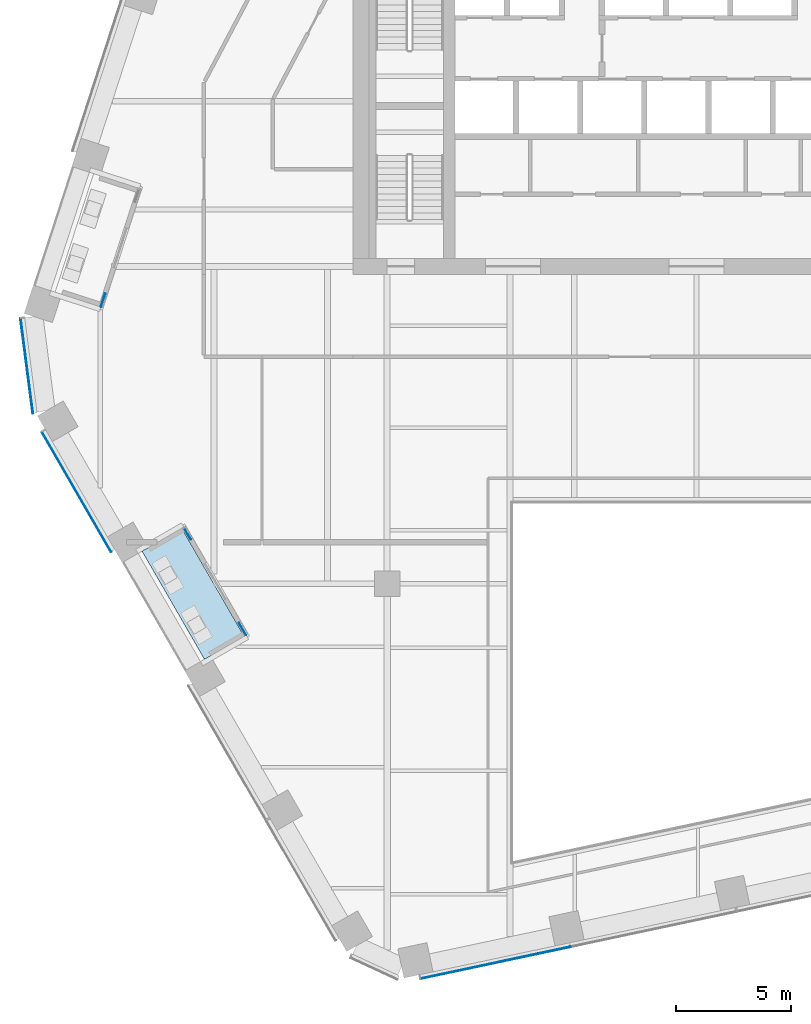
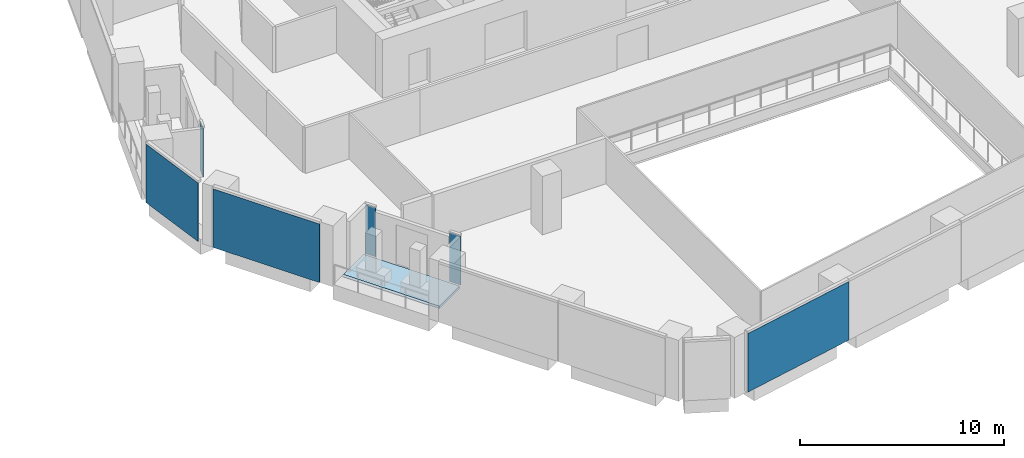
# One storey, part 12 of 25: 6 plates, 1 slab, 5 elements without a shape of their own.
"""IFC4 building model written with IfcOpenShell, lengths in metres."""

import ifcopenshell
import ifcopenshell.guid

model = None  # the IFC model being written
_history = None  # IfcOwnerHistory: only IFC2X3 demands one
_inside = {}  # id of a spatial element -> (the spatial element, [elements in it])
_under = {}  # id of a project, library or spatial element -> (it, [spatial elements below it])
_declared = {}  # id of a project -> (the project, [libraries it declares])
_typed = {}  # id of a type object -> (the type object, [elements of that type])
_made_of = {}  # id of a material, layer set ... -> (it, [elements and type objects made of it])


def new_model(schema):
    """Start an empty IFC model of exactly this schema.

    Asked for "IFC4X3", IfcOpenShell would pick the latest addendum, in which some entities
    have other attributes; the version numbers below select the first issue.
    IFC2X3 requires an IfcOwnerHistory on every rooted entity: one is made here for all.
    """
    global model, _history
    if schema == "IFC4X3":
        model = ifcopenshell.file(schema_version=(4, 3, 0, 0))
    else:
        model = ifcopenshell.file(schema=schema)
    _inside.clear()
    _under.clear()
    _declared.clear()
    _typed.clear()
    _made_of.clear()
    _history = None
    if model.schema == "IFC2X3":
        org = make("IfcOrganization", Name="unknown")
        user = make(
            "IfcPersonAndOrganization",
            ThePerson=make("IfcPerson", FamilyName="unknown"),
            TheOrganization=org,
        )
        app = make(
            "IfcApplication",
            ApplicationDeveloper=org,
            Version="unknown",
            ApplicationFullName="unknown",
            ApplicationIdentifier="unknown",
        )
        _history = make(
            "IfcOwnerHistory",
            OwningUser=user,
            OwningApplication=app,
            ChangeAction="ADDED",
            CreationDate=0,
        )
    return model


def make(cls, **values):
    """One entity of the class cls with the attributes given. An attribute that is None is left unset."""
    return model.create_entity(
        cls, **{name: value for name, value in values.items() if value is not None}
    )


def rooted(cls, **values):
    """An entity with a GlobalId (a new one), such as an element, a storey or a relation."""
    return make(cls, GlobalId=ifcopenshell.guid.new(), OwnerHistory=_history, **values)


def si_unit(unit_type, name, prefix=None):
    """IfcSIUnit, for example si_unit("LENGTHUNIT", "METRE", prefix="MILLI")."""
    return make("IfcSIUnit", UnitType=unit_type, Prefix=prefix, Name=name)


def assignment(units):
    """IfcUnitAssignment: the units of a project."""
    return None if units is None else make("IfcUnitAssignment", Units=units)


def point(xyz):
    """IfcCartesianPoint."""
    return None if xyz is None else make("IfcCartesianPoint", Coordinates=xyz)


def direction(xyz):
    """IfcDirection."""
    return None if xyz is None else make("IfcDirection", DirectionRatios=xyz)


def frame(location, z_axis=None, x_axis=None):
    """IfcAxis2Placement3D, a coordinate frame: its origin and axes. An axis left out is left unset."""
    return make(
        "IfcAxis2Placement3D",
        Location=point(location),
        Axis=direction(z_axis),
        RefDirection=direction(x_axis),
    )


def frame_2d(location, x_axis=None):
    """IfcAxis2Placement2D, a coordinate frame in the plane: its origin and x axis."""
    return make(
        "IfcAxis2Placement2D", Location=point(location), RefDirection=direction(x_axis)
    )


def origin():
    """The frame at (0, 0, 0) with its axes left unset."""
    return frame((0.0, 0.0, 0.0))


def origin_2d():
    """The frame at (0, 0) in the plane with its x axis left unset."""
    return frame_2d((0.0, 0.0))


def place(relative_to, where):
    """IfcLocalPlacement: puts the frame where relative to a parent placement (None: the world)."""
    return make(
        "IfcLocalPlacement", PlacementRelTo=relative_to, RelativePlacement=where
    )


def context(
    kind, dimensions, precision=None, world=None, true_north=None, identifier=None
):
    """IfcGeometricRepresentationContext, for example the 3D "Model" context."""
    return make(
        "IfcGeometricRepresentationContext",
        ContextIdentifier=identifier,
        ContextType=kind,
        CoordinateSpaceDimension=dimensions,
        Precision=precision,
        WorldCoordinateSystem=world,
        TrueNorth=true_north,
    )


def subcontext(parent, identifier, kind, view, scale=None):
    """IfcGeometricRepresentationSubContext, for example "Body" below "Model"."""
    return make(
        "IfcGeometricRepresentationSubContext",
        ContextIdentifier=identifier,
        ContextType=kind,
        ParentContext=parent,
        TargetScale=scale,
        TargetView=view,
    )


def project(units=None, contexts=None):
    """IfcProject with its units and contexts."""
    return rooted(
        "IfcProject",
        Name="project",
        RepresentationContexts=contexts,
        UnitsInContext=assignment(units),
    )


def spatial(cls, under=None, at=None, **own):
    """A site, building, storey or space (cls), placed at a placement, below another one or the project."""
    s = rooted(cls, ObjectPlacement=at, **own)
    if under is not None:
        _under.setdefault(under.id(), (under, []))[1].append(s)
    return s


def polyline(points):
    """IfcPolyline through the points."""
    return make("IfcPolyline", Points=[point(p) for p in points])


def profile(cls, at=None, kind="AREA", **sizes):
    """A parametric profile (cls). Its sizes go by their IFC names, for example OverallWidth=200.0."""
    return make(cls, ProfileType=kind, Position=at, **sizes)


def rectangle(**sizes):
    """IfcRectangleProfileDef."""
    return profile("IfcRectangleProfileDef", **sizes)


def outline(outer, holes=None, kind="AREA"):
    """IfcArbitraryClosedProfileDef: a profile drawn as a closed curve; with holes, ...WithVoids."""
    if holes is None:
        return make("IfcArbitraryClosedProfileDef", ProfileType=kind, OuterCurve=outer)
    return make(
        "IfcArbitraryProfileDefWithVoids",
        ProfileType=kind,
        OuterCurve=outer,
        InnerCurves=holes,
    )


def extrude(swept, where, along, depth):
    """IfcExtrudedAreaSolid: the profile swept, set in the frame where, extruded along a direction by depth."""
    return make(
        "IfcExtrudedAreaSolid",
        SweptArea=swept,
        Position=where,
        ExtrudedDirection=direction(along),
        Depth=depth,
    )


def shape(context_of_items, identifier, shape_type, items):
    """IfcShapeRepresentation: the items that make up one representation, for example the "Body"."""
    return make(
        "IfcShapeRepresentation",
        ContextOfItems=context_of_items,
        RepresentationIdentifier=identifier,
        RepresentationType=shape_type,
        Items=items,
    )


def material(Name=None, Category=None):
    """IfcMaterial."""
    return make("IfcMaterial", Name=Name, Category=Category)


def layer(
    of_material, thickness, ventilated=None, Name=None, Category=None, Priority=None
):
    """IfcMaterialLayer: one layer of a wall or slab, of a material (None: an air gap)."""
    return make(
        "IfcMaterialLayer",
        Material=of_material,
        LayerThickness=thickness,
        IsVentilated=ventilated,
        Name=Name,
        Category=Category,
        Priority=Priority,
    )


def layer_set(layers, Name=None):
    """IfcMaterialLayerSet."""
    return make("IfcMaterialLayerSet", MaterialLayers=layers, LayerSetName=Name)


def made_of(thing, what):
    """Note that an element or type object is made of a material, layer set ...; save() writes the relation."""
    if what is not None:
        _made_of.setdefault(what.id(), (what, []))[1].append(thing)
    return thing


def type_object(cls, material=None, **own):
    """A type object (cls), such as IfcWallType, which elements share."""
    return made_of(rooted(cls, **own), material)


def element(
    cls,
    number,
    at=None,
    inside=None,
    cuts=None,
    type_object=None,
    material=None,
    context=None,
    identifier="Body",
    shape_type=None,
    held_by="IfcProductDefinitionShape",
    body=None,
    shapes=None,
    **own,
):
    """One element of the class cls, such as IfcWall. Its Tag is "e" and its number.

    at: its placement. inside: the storey or other place that contains it. cuts: it is an
    opening in that element (IfcRelVoidsElement). A single representation is given by context,
    identifier, shape_type and body (its items); several are given by shapes. held_by: the class
    of the entity that holds the representations. save() writes the other relations.
    """
    e = rooted(cls, Tag="e%d" % number, ObjectPlacement=at, **own)
    if body is not None:
        shapes = [shape(context, identifier, shape_type, body)]
    if shapes is not None:
        e.Representation = make(held_by, Representations=shapes)
    if inside is not None:
        _inside.setdefault(inside.id(), (inside, []))[1].append(e)
    if cuts is not None:
        rooted(
            "IfcRelVoidsElement", RelatingBuildingElement=cuts, RelatedOpeningElement=e
        )
    if type_object is not None:
        _typed.setdefault(type_object.id(), (type_object, []))[1].append(e)
    return made_of(e, material)


def aggregate(whole, parts):
    """IfcRelAggregates: a whole, such as a stair, and the parts it consists of."""
    return rooted("IfcRelAggregates", RelatingObject=whole, RelatedObjects=parts)


def save(model, path):
    """Write the relations noted so far, then the file.

    IfcRelAggregates (storeys below a building ...), IfcRelContainedInSpatialStructure (elements
    in a storey), IfcRelDefinesByType, IfcRelAssociatesMaterial and IfcRelDeclares: one each for
    every whole, place, type object, material and project.
    """
    for whole, parts in _under.values():
        aggregate(whole, parts)
    for where, things in _inside.values():
        rooted(
            "IfcRelContainedInSpatialStructure",
            RelatedElements=things,
            RelatingStructure=where,
        )
    for kind, things in _typed.values():
        rooted("IfcRelDefinesByType", RelatedObjects=things, RelatingType=kind)
    for what, things in _made_of.values():
        rooted("IfcRelAssociatesMaterial", RelatedObjects=things, RelatingMaterial=what)
    for by, libraries in _declared.values():
        rooted("IfcRelDeclares", RelatingContext=by, RelatedDefinitions=libraries)
    model.write(path)


model = new_model("IFC4")

# Units and contexts
model_context = context("Model", 3, precision=1e-05, world=origin(), true_north=direction((0.0, 1.0)))
body_context = subcontext(model_context, "Body", "Model", "MODEL_VIEW")
ifc_project = project(units=[si_unit("LENGTHUNIT", "METRE"), si_unit("AREAUNIT", "SQUARE_METRE"), si_unit("VOLUMEUNIT", "CUBIC_METRE"), si_unit("PLANEANGLEUNIT", "RADIAN"), si_unit("MASSUNIT", "GRAM", prefix="KILO")], contexts=[model_context])

# Site, building, storey
site_placement = place(None, origin())
site = spatial("IfcSite", under=ifc_project, at=site_placement, CompositionType="ELEMENT")
building_placement = place(site_placement, origin())
building = spatial("IfcBuilding", under=site, at=building_placement, Name="Isthmus Gate Tower", CompositionType="ELEMENT")
storey_placement = place(building_placement, frame((0.0, 0.0, 174.449951171875)))
storey = spatial("IfcBuildingStorey", under=building, at=storey_placement, Name="L43", CompositionType="ELEMENT", Elevation=174.449951171875)

# Curtain wall, plate
ifc_material_1 = material(Name="Aluminium, pale champagne anodised", Category="aluminium")
ifc_layer_1 = layer(ifc_material_1, 0.199951171875)
ifc_layer_set_1 = layer_set([ifc_layer_1], Name="CW-1 UNITISED CURTAIN WALL 200 DEEP")
curtain_wall_type_1 = type_object("IfcCurtainWallType", Name="CW-1 UNITISED CURTAIN WALL 200 DEEP", PredefinedType="NOTDEFINED", material=ifc_layer_set_1)
curtain_wall_1_placement = place(storey_placement, origin())
curtain_wall_1 = element("IfcCurtainWall", 1, at=curtain_wall_1_placement, inside=storey, type_object=curtain_wall_type_1, Name="CW-1 NW-SW L43", PredefinedType="NOTDEFINED")
ifc_material_2 = material(Name="Laminated low-iron glass, pale blue tint", Category="glass")
ifc_layer_2 = layer(ifc_material_2, 0.035888671875)
ifc_layer_set_2 = layer_set([ifc_layer_2], Name="CW-1 CLEAR GLASS LITE 36")
plate_type_1 = type_object("IfcPlateType", Name="CW-1 CLEAR GLASS LITE 36", PredefinedType="CURTAIN_PANEL", material=ifc_layer_set_2)
plate_1_placement = place(storey_placement, frame((-29.234619140625, -3.9990234375, 0.0), z_axis=(0.0, 0.0, 1.0), x_axis=(0.129164534, -0.991623175988, 0.0)))
plate_1 = element("IfcPlate", 2, at=plate_1_placement, type_object=plate_type_1, Name="CW-1 glass lite", PredefinedType="CURTAIN_PANEL", context=body_context, shape_type="SweptSolid", body=[
    extrude(rectangle(XDim=4.181396484375, YDim=0.035888671875, at=origin_2d()), origin(), (0.0, 0.0, 1.0), 3.510009765625),
])
aggregate(curtain_wall_1, [plate_1])

curtain_wall_2_placement = place(storey_placement, origin())
curtain_wall_2 = element("IfcCurtainWall", 3, at=curtain_wall_2_placement, inside=storey, type_object=curtain_wall_type_1, Name="CW-1 SW L43", PredefinedType="NOTDEFINED")
plate_2_placement = place(storey_placement, frame((-27.060546875, -9.49365234375, 0.0), z_axis=(0.0, 0.0, 1.0), x_axis=(0.5, -0.866025403784, 0.0)))
plate_2 = element("IfcPlate", 4, at=plate_2_placement, type_object=plate_type_1, Name="CW-1 glass lite", PredefinedType="CURTAIN_PANEL", context=body_context, shape_type="SweptSolid", body=[
    extrude(rectangle(XDim=6.0400390625, YDim=0.035888671875, at=origin_2d()), origin(), (0.0, 0.0, 1.0), 3.510009765625),
])
aggregate(curtain_wall_2, [plate_2])

curtain_wall_3_placement = place(storey_placement, origin())
curtain_wall_3 = element("IfcCurtainWall", 5, at=curtain_wall_3_placement, inside=storey, type_object=curtain_wall_type_1, Name="CW-1 S L43", PredefinedType="NOTDEFINED")
plate_3_placement = place(storey_placement, frame((-8.768798828125, -30.050048828125, 0.0), z_axis=(0.0, 0.0, 1.0), x_axis=(0.978147600734, 0.207911690818, 0.0)))
plate_3 = element("IfcPlate", 6, at=plate_3_placement, type_object=plate_type_1, Name="CW-1 glass lite", PredefinedType="CURTAIN_PANEL", context=body_context, shape_type="SweptSolid", body=[
    extrude(rectangle(XDim=6.680908203125, YDim=0.035888671875, at=origin_2d()), origin(), (0.0, 0.0, 1.0), 3.510009765625),
])
aggregate(curtain_wall_3, [plate_3])

ifc_material_3 = material(Name="Aluminium, pale champagne anodised", Category="aluminium")
ifc_layer_3 = layer(ifc_material_3, 0.14990234375)
ifc_layer_set_3 = layer_set([ifc_layer_3], Name="CW-6 LOGGIA BACK WALL GLAZING 150 DEEP")
curtain_wall_type_2 = type_object("IfcCurtainWallType", Name="CW-6 LOGGIA BACK WALL GLAZING 150 DEEP", PredefinedType="NOTDEFINED", material=ifc_layer_set_3)
curtain_wall_4_placement = place(storey_placement, origin())
curtain_wall_4 = element("IfcCurtainWall", 7, at=curtain_wall_4_placement, inside=storey, type_object=curtain_wall_type_2, Name="CW-6 NW L43", PredefinedType="NOTDEFINED")
ifc_material_4 = material(Name="Laminated low-iron glass, clear", Category="glass")
ifc_layer_4 = layer(ifc_material_4, 0.031982421875)
ifc_layer_set_4 = layer_set([ifc_layer_4], Name="CW-6 CLEAR GLASS LITE 32")
plate_type_2 = type_object("IfcPlateType", Name="CW-6 CLEAR GLASS LITE 32", PredefinedType="CURTAIN_PANEL", material=ifc_layer_set_4)
plate_4_placement = place(storey_placement, frame((-25.904541015625, -1.1279296875, 0.0), z_axis=(0.0, 0.0, 1.0), x_axis=(-0.309016994375, -0.951056516295, 0.0)))
plate_4 = element("IfcPlate", 8, at=plate_4_placement, type_object=plate_type_2, Name="CW-6 glass lite", PredefinedType="CURTAIN_PANEL", context=body_context, shape_type="SweptSolid", body=[
    extrude(rectangle(XDim=0.620361328125, YDim=0.031982421875, at=origin_2d()), origin(), (0.0, 0.0, 1.0), 2.929931640625),
])
aggregate(curtain_wall_4, [plate_4])

# Curtain wall, plates
curtain_wall_5_placement = place(storey_placement, origin())
curtain_wall_5 = element("IfcCurtainWall", 9, at=curtain_wall_5_placement, inside=storey, type_object=curtain_wall_type_2, Name="CW-6 SW L43", PredefinedType="NOTDEFINED")
plate_5_placement = place(storey_placement, frame((-22.2119140625, -11.32763671875, 0.0), z_axis=(0.0, 0.0, 1.0), x_axis=(0.5, -0.866025403784, 0.0)))
plate_5 = element("IfcPlate", 10, at=plate_5_placement, type_object=plate_type_2, Name="CW-6 glass lite", PredefinedType="CURTAIN_PANEL", context=body_context, shape_type="SweptSolid", body=[
    extrude(rectangle(XDim=0.565185546875, YDim=0.031982421875, at=origin_2d()), origin(), (0.0, 0.0, 1.0), 2.929931640625),
])
plate_6_placement = place(storey_placement, frame((-19.814453125, -15.48046875, 0.0), z_axis=(0.0, 0.0, 1.0), x_axis=(0.5, -0.866025403784, 0.0)))
plate_6 = element("IfcPlate", 11, at=plate_6_placement, type_object=plate_type_2, Name="CW-6 glass lite", PredefinedType="CURTAIN_PANEL", context=body_context, shape_type="SweptSolid", body=[
    extrude(rectangle(XDim=0.625, YDim=0.031982421875, at=origin_2d()), origin(), (0.0, 0.0, 1.0), 2.929931640625),
])
aggregate(curtain_wall_5, [plate_5, plate_6])

# Slab
ifc_material_5 = material(Name="Concrete f'c 50 MPa", Category="concrete")
ifc_layer_5 = layer(ifc_material_5, 0.14990234375)
ifc_layer_set_5 = layer_set([ifc_layer_5], Name="LOGGIA FLOOR SLAB 150")
slab_type = type_object("IfcSlabType", Name="LOGGIA FLOOR SLAB 150", PredefinedType="FLOOR", material=ifc_layer_set_5)
slab_placement = place(storey_placement, frame((0.0, 0.0, -0.14990234375)))
element("IfcSlab", 12, at=slab_placement, inside=storey, type_object=slab_type, Name="LOGGIA FLOOR", PredefinedType="FLOOR", context=body_context, shape_type="SweptSolid", body=[
    extrude(outline(polyline([(-24.201904296875, -12.0810546875), (-21.476806640625, -16.801025390625), (-19.744873046875, -15.801025390625), (-22.469970703125, -11.0810546875), (-24.201904296875, -12.0810546875)])), origin(), (0.0, 0.0, 1.0), 0.14990234375),
])

save(model, "model.ifc")
